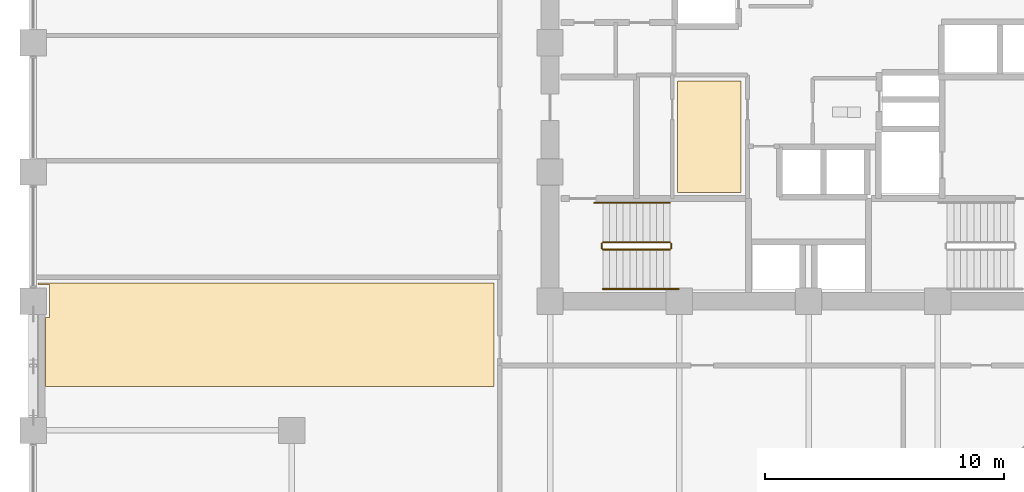
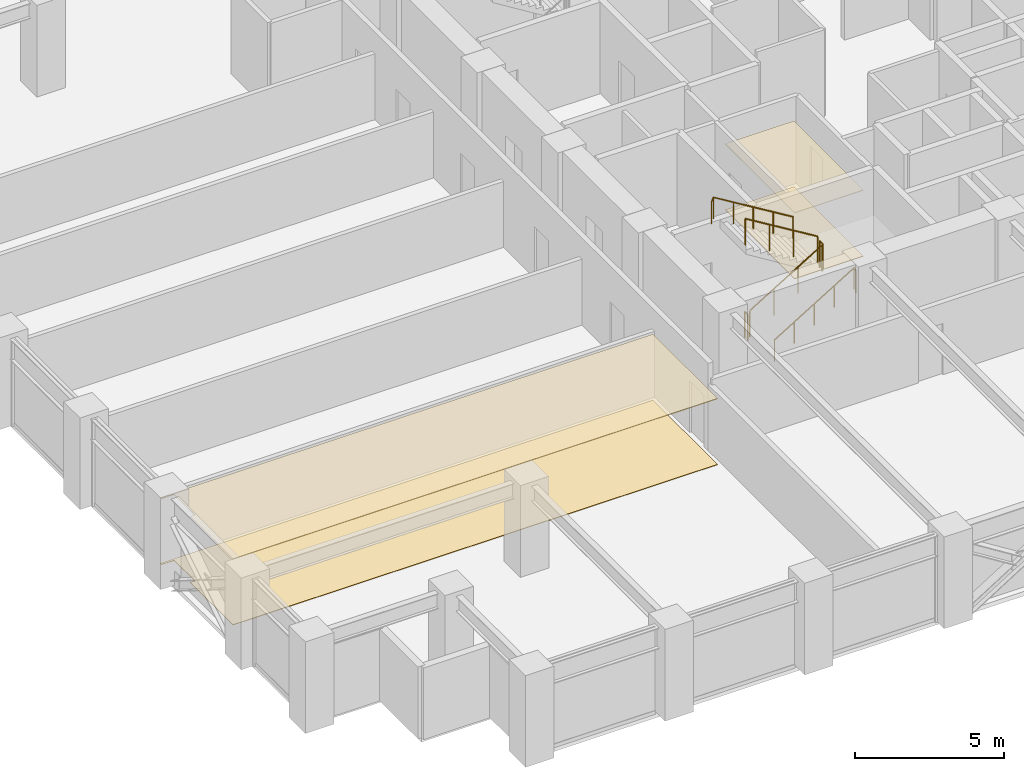
# One storey, part 23 of 25: 6 railings, 4 coverings.
"""IFC4 building model written with IfcOpenShell, lengths in metres."""

from ifc_helpers import new_model, si_unit, direction, frame, origin, origin_2d, place, context, subcontext, project, spatial, polyline, circle, outline, extrude, material, layer, layer_set, type_object, element, save


model = new_model("IFC4")

# Units and contexts
model_context = context("Model", 3, precision=1e-05, world=origin(), true_north=direction((0.0, 1.0)))
body_context = subcontext(model_context, "Body", "Model", "MODEL_VIEW")
ifc_project = project(units=[si_unit("LENGTHUNIT", "METRE"), si_unit("AREAUNIT", "SQUARE_METRE"), si_unit("VOLUMEUNIT", "CUBIC_METRE"), si_unit("PLANEANGLEUNIT", "RADIAN"), si_unit("MASSUNIT", "GRAM", prefix="KILO")], contexts=[model_context])

# Site, building, storey
site_placement = place(None, origin())
site = spatial("IfcSite", under=ifc_project, at=site_placement, CompositionType="ELEMENT")
building_placement = place(site_placement, origin())
building = spatial("IfcBuilding", under=site, at=building_placement, Name="Surkhivell Harbour Commons", CompositionType="ELEMENT")
storey_placement = place(building_placement, frame((0.0, 0.0, 109.5)))
storey = spatial("IfcBuildingStorey", under=building, at=storey_placement, Name="L28", CompositionType="ELEMENT", Elevation=109.5)

# Coverings
ifc_material_1 = material(Name="Perforated acoustic mineral-fibre ceiling tile", Category="other")
ifc_layer_1 = layer(ifc_material_1, 0.02490234375)
ifc_layer_set_1 = layer_set([ifc_layer_1], Name="Perforated acoustic mineral-fibre ceiling tile")
covering_type_1 = type_object("IfcCoveringType", Name="COV-CEIL-AC", PredefinedType="CEILING", material=ifc_layer_set_1)
covering_1_placement = place(storey_placement, frame((0.0, 0.0, 2.694091796875)))
element("IfcCovering", 1, at=covering_1_placement, inside=storey, type_object=covering_type_1, Name="L28 Suspended Acoustic Ceiling 1", PredefinedType="CEILING", context=body_context, shape_type="SweptSolid", body=[
    extrude(outline(polyline([(-5.47998046875, -6.260009765625), (-2.820068359375, -6.260009765625), (-2.820068359375, -1.60009765625), (-5.47998046875, -1.60009765625), (-5.47998046875, -6.260009765625)])), origin(), (0.0, 0.0, 1.0), 0.02490234375),
])
ifc_material_2 = material(Name="Moisture-resistant gypsum acoustic ceiling board", Category="other")
ifc_layer_2 = layer(ifc_material_2, 0.030029296875)
ifc_layer_set_2 = layer_set([ifc_layer_2], Name="Moisture-resistant gypsum acoustic ceiling board")
covering_type_2 = type_object("IfcCoveringType", Name="COV-CEIL-GYP", PredefinedType="CEILING", material=ifc_layer_set_2)
covering_2_placement = place(storey_placement, frame((0.0, 0.0, 2.68896484375)))
element("IfcCovering", 2, at=covering_2_placement, inside=storey, type_object=covering_type_2, Name="L28 Suspended Acoustic Ceiling 2", PredefinedType="CEILING", context=body_context, shape_type="SweptSolid", body=[
    extrude(outline(polyline([(-13.139892578125, -14.360107421875), (-13.139892578125, -10.027587890625), (-32.18994140625, -10.027587890625), (-32.18994140625, -10.110107421875), (-31.7099609375, -10.110107421875), (-31.7099609375, -11.489990234375), (-31.889892578125, -11.489990234375), (-31.889892578125, -14.360107421875), (-13.139892578125, -14.360107421875)])), origin(), (0.0, 0.0, 1.0), 0.030029296875),
])
ifc_material_3 = material(Name="Engineered acoustic oak timber flooring", Category="wood")
ifc_layer_3 = layer(ifc_material_3, 0.02001953125)
ifc_layer_set_3 = layer_set([ifc_layer_3], Name="Engineered acoustic oak timber flooring")
covering_type_3 = type_object("IfcCoveringType", Name="COV-FLR-TIM", PredefinedType="FLOORING", material=ifc_layer_set_3)
covering_3_placement = place(storey_placement, origin())
element("IfcCovering", 3, at=covering_3_placement, inside=storey, type_object=covering_type_3, Name="L28 Interior Floor Finish 1", PredefinedType="FLOORING", context=body_context, shape_type="SweptSolid", body=[
    extrude(outline(polyline([(-5.47998046875, -6.260009765625), (-2.820068359375, -6.260009765625), (-2.820068359375, -1.60009765625), (-5.47998046875, -1.60009765625), (-5.47998046875, -6.260009765625)])), origin(), (0.0, 0.0, 1.0), 0.02001953125),
])
covering_4_placement = place(storey_placement, origin())
element("IfcCovering", 4, at=covering_4_placement, inside=storey, type_object=covering_type_3, Name="L28 Interior Floor Finish 2", PredefinedType="FLOORING", context=body_context, shape_type="SweptSolid", body=[
    extrude(outline(polyline([(-13.139892578125, -14.360107421875), (-13.139892578125, -10.027587890625), (-32.18994140625, -10.027587890625), (-32.18994140625, -10.110107421875), (-31.7099609375, -10.110107421875), (-31.7099609375, -11.489990234375), (-31.889892578125, -11.489990234375), (-31.889892578125, -14.360107421875), (-13.139892578125, -14.360107421875)])), origin(), (0.0, 0.0, 1.0), 0.02001953125),
])

# Railings
ifc_material_4 = material(Name="Galvanised and painted steel S355 guard rail", Category="steel")
railing_type_1 = type_object("IfcRailingType", Name="RAL-ST-GRD1100", PredefinedType="GUARDRAIL", material=ifc_material_4)
railing_1_placement = place(storey_placement, frame((-8.590087890625, -8.639892578125, 0.17041015625)))
element("IfcRailing", 5, at=railing_1_placement, inside=storey, type_object=railing_type_1, Name="L28 ST3 stair guard 1", PredefinedType="GUARDRAIL", context=body_context, shape_type="SweptSolid", body=[
    extrude(circle(Radius=0.02392578125, at=origin_2d()), frame((0.0, 0.0, 1.076171875), z_axis=(0.854169791009, 0.0, 0.51999420009), x_axis=(0.0, 1.0, 0.0)), (0.0, 0.0, 1.0), 3.278076171875),
    extrude(circle(Radius=0.02099609375, at=origin_2d()), origin(), (0.0, 0.0, 1.0), 1.052001953125),
    extrude(circle(Radius=0.02099609375, at=origin_2d()), frame((0.933349609375, 0.0, 0.568115234375)), (0.0, 0.0, 1.0), 1.052001953125),
    extrude(circle(Radius=0.02099609375, at=origin_2d()), frame((1.86669921875, 0.0, 1.136474609375)), (0.0, 0.0, 1.0), 1.052001953125),
    extrude(circle(Radius=0.02099609375, at=origin_2d()), frame((2.800048828125, 0.0, 1.70458984375)), (0.0, 0.0, 1.0), 1.052001953125),
])
railing_2_placement = place(storey_placement, frame((-5.739990234375, -8.590087890625, 1.875)))
element("IfcRailing", 6, at=railing_2_placement, inside=storey, type_object=railing_type_1, Name="L28 ST3 stair guard 2", PredefinedType="GUARDRAIL", context=body_context, shape_type="SweptSolid", body=[
    extrude(circle(Radius=0.02392578125, at=origin_2d()), frame((0.0, 0.0, 1.076171875), z_axis=(0.0, 1.0, 0.0), x_axis=(-1.0, 0.0, 0.0)), (0.0, 0.0, 1.0), 0.2001953125),
    extrude(circle(Radius=0.02099609375, at=origin_2d()), origin(), (0.0, 0.0, 1.0), 1.052001953125),
    extrude(circle(Radius=0.02099609375, at=origin_2d()), frame((0.0, 0.2001953125, 0.0)), (0.0, 0.0, 1.0), 1.052001953125),
])
railing_3_placement = place(storey_placement, frame((-5.7900390625, -8.340087890625, 2.04541015625)))
element("IfcRailing", 7, at=railing_3_placement, inside=storey, type_object=railing_type_1, Name="L28 ST3 stair guard 3", PredefinedType="GUARDRAIL", context=body_context, shape_type="SweptSolid", body=[
    extrude(circle(Radius=0.02392578125, at=origin_2d()), frame((0.0, 0.0, 1.076171875), z_axis=(-0.854169791009, 0.0, 0.51999420009), x_axis=(0.0, -1.0, 0.0)), (0.0, 0.0, 1.0), 3.278076171875),
    extrude(circle(Radius=0.02099609375, at=origin_2d()), origin(), (0.0, 0.0, 1.0), 1.052001953125),
    extrude(circle(Radius=0.02099609375, at=origin_2d()), frame((-0.933349609375, 0.0, 0.568115234375)), (0.0, 0.0, 1.0), 1.052001953125),
    extrude(circle(Radius=0.02099609375, at=origin_2d()), frame((-1.86669921875, 0.0, 1.136474609375)), (0.0, 0.0, 1.0), 1.052001953125),
    extrude(circle(Radius=0.02099609375, at=origin_2d()), frame((-2.800048828125, 0.0, 1.70458984375)), (0.0, 0.0, 1.0), 1.052001953125),
])
railing_4_placement = place(storey_placement, frame((-8.639892578125, -8.590087890625, 0.0)))
element("IfcRailing", 8, at=railing_4_placement, inside=storey, type_object=railing_type_1, Name="L28 ST3 stair guard 4", PredefinedType="GUARDRAIL", context=body_context, shape_type="SweptSolid", body=[
    extrude(circle(Radius=0.02392578125, at=origin_2d()), frame((0.0, 0.0, 1.076171875), z_axis=(0.0, 1.0, 0.0), x_axis=(-1.0, 0.0, 0.0)), (0.0, 0.0, 1.0), 0.2001953125),
    extrude(circle(Radius=0.02099609375, at=origin_2d()), origin(), (0.0, 0.0, 1.0), 1.052001953125),
    extrude(circle(Radius=0.02099609375, at=origin_2d()), frame((0.0, 0.2001953125, 0.0)), (0.0, 0.0, 1.0), 1.052001953125),
])
ifc_material_5 = material(Name="Brushed stainless steel S355 handrail", Category="steel")
railing_type_2 = type_object("IfcRailingType", Name="RAL-ST-HND900", PredefinedType="HANDRAIL", material=ifc_material_5)
railing_5_placement = place(storey_placement, frame((-8.590087890625, -10.2900390625, 0.17041015625)))
element("IfcRailing", 9, at=railing_5_placement, inside=storey, type_object=railing_type_2, Name="L28 ST3 stair handrail 1", PredefinedType="HANDRAIL", context=body_context, shape_type="SweptSolid", body=[
    extrude(circle(Radius=0.02392578125, at=origin_2d()), frame((0.0, 0.0, 0.8759765625), z_axis=(0.854177636135, 0.0, 0.519981313056), x_axis=(0.0, 1.0, 0.0)), (0.0, 0.0, 1.0), 3.60595703125),
    extrude(circle(Radius=0.02392578125, at=origin_2d()), frame((3.080078125, 0.0, 2.7509765625), z_axis=(0.425297416671, 0.0, -0.905053648892), x_axis=(0.0, 1.0, 0.0)), (0.0, 0.0, 1.0), 0.188232421875),
    extrude(circle(Radius=0.02099609375, at=origin_2d()), origin(), (0.0, 0.0, 1.0), 0.851806640625),
    extrude(circle(Radius=0.02099609375, at=origin_2d()), frame((0.77001953125, 0.0, 0.46875)), (0.0, 0.0, 1.0), 0.851806640625),
    extrude(circle(Radius=0.02099609375, at=origin_2d()), frame((1.5400390625, 0.0, 0.9375)), (0.0, 0.0, 1.0), 0.851806640625),
    extrude(circle(Radius=0.02099609375, at=origin_2d()), frame((2.31005859375, 0.0, 1.40625)), (0.0, 0.0, 1.0), 0.851806640625),
    extrude(circle(Radius=0.02099609375, at=origin_2d()), frame((3.080078125, 0.0, 1.875)), (0.0, 0.0, 1.0), 0.851806640625),
    extrude(circle(Radius=0.02099609375, at=origin_2d()), frame((3.16015625, 0.0, 1.70458984375)), (0.0, 0.0, 1.0), 0.851806640625),
])
railing_6_placement = place(storey_placement, frame((-5.7900390625, -6.68994140625, 2.04541015625)))
element("IfcRailing", 10, at=railing_6_placement, inside=storey, type_object=railing_type_2, Name="L28 ST3 stair handrail 2", PredefinedType="HANDRAIL", context=body_context, shape_type="SweptSolid", body=[
    extrude(circle(Radius=0.02392578125, at=origin_2d()), frame((0.0, 0.0, 0.8759765625), z_axis=(-0.854177636135, 0.0, 0.519981313056), x_axis=(0.0, -1.0, 0.0)), (0.0, 0.0, 1.0), 3.60595703125),
    extrude(circle(Radius=0.02392578125, at=origin_2d()), frame((-3.080078125, 0.0, 2.7509765625), z_axis=(-0.424234432967, 0.0, -0.905552398199), x_axis=(0.0, -1.0, 0.0)), (0.0, 0.0, 1.0), 0.188232421875),
    extrude(circle(Radius=0.02099609375, at=origin_2d()), origin(), (0.0, 0.0, 1.0), 0.851806640625),
    extrude(circle(Radius=0.02099609375, at=origin_2d()), frame((-0.77001953125, 0.0, 0.46875)), (0.0, 0.0, 1.0), 0.851806640625),
    extrude(circle(Radius=0.02099609375, at=origin_2d()), frame((-1.5400390625, 0.0, 0.9375)), (0.0, 0.0, 1.0), 0.851806640625),
    extrude(circle(Radius=0.02099609375, at=origin_2d()), frame((-2.31005859375, 0.0, 1.40625)), (0.0, 0.0, 1.0), 0.851806640625),
    extrude(circle(Radius=0.02099609375, at=origin_2d()), frame((-3.080078125, 0.0, 1.875)), (0.0, 0.0, 1.0), 0.851806640625),
    extrude(circle(Radius=0.02099609375, at=origin_2d()), frame((-3.159912109375, 0.0, 1.70458984375)), (0.0, 0.0, 1.0), 0.851806640625),
])

save(model, "model.ifc")
